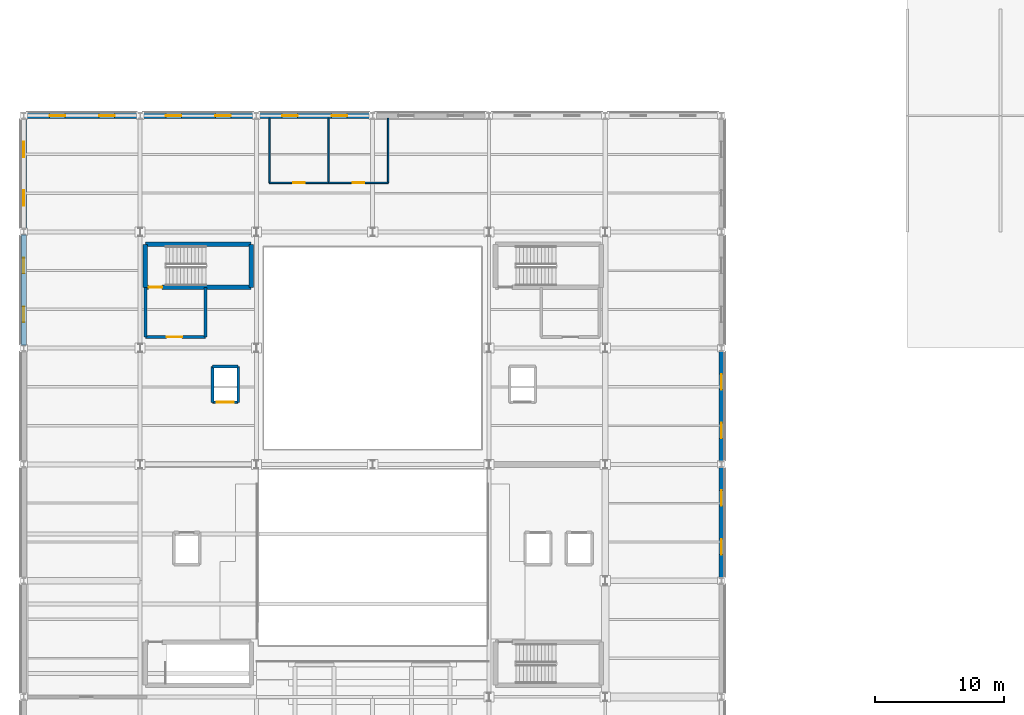
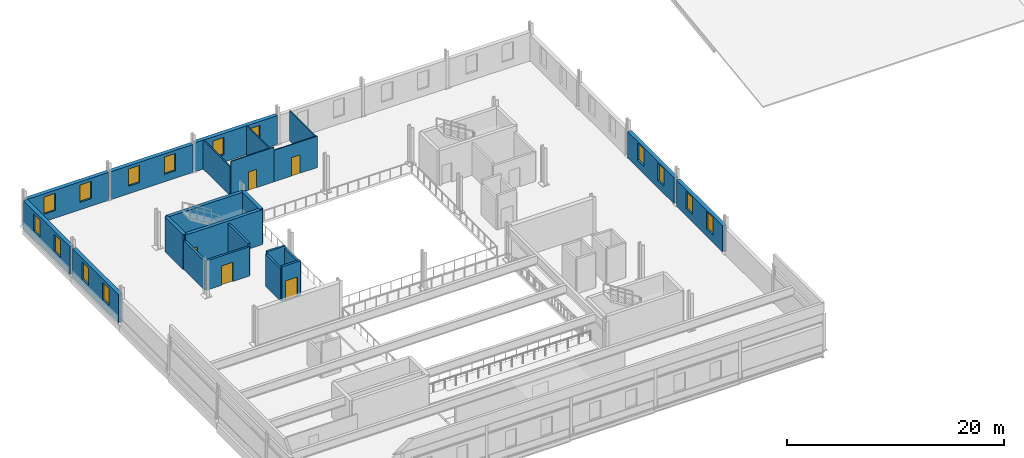
# One storey, part 10 of 17: 23 walls, 14 windows, 5 doors, 19 openings.
"""IFC4 building model written with IfcOpenShell, lengths in metres."""

import ifcopenshell
import ifcopenshell.guid

model = None  # the IFC model being written
_history = None  # IfcOwnerHistory: only IFC2X3 demands one
_inside = {}  # id of a spatial element -> (the spatial element, [elements in it])
_under = {}  # id of a project, library or spatial element -> (it, [spatial elements below it])
_declared = {}  # id of a project -> (the project, [libraries it declares])
_typed = {}  # id of a type object -> (the type object, [elements of that type])
_made_of = {}  # id of a material, layer set ... -> (it, [elements and type objects made of it])


def new_model(schema):
    """Start an empty IFC model of exactly this schema.

    Asked for "IFC4X3", IfcOpenShell would pick the latest addendum, in which some entities
    have other attributes; the version numbers below select the first issue.
    IFC2X3 requires an IfcOwnerHistory on every rooted entity: one is made here for all.
    """
    global model, _history
    if schema == "IFC4X3":
        model = ifcopenshell.file(schema_version=(4, 3, 0, 0))
    else:
        model = ifcopenshell.file(schema=schema)
    _inside.clear()
    _under.clear()
    _declared.clear()
    _typed.clear()
    _made_of.clear()
    _history = None
    if model.schema == "IFC2X3":
        org = make("IfcOrganization", Name="unknown")
        user = make(
            "IfcPersonAndOrganization",
            ThePerson=make("IfcPerson", FamilyName="unknown"),
            TheOrganization=org,
        )
        app = make(
            "IfcApplication",
            ApplicationDeveloper=org,
            Version="unknown",
            ApplicationFullName="unknown",
            ApplicationIdentifier="unknown",
        )
        _history = make(
            "IfcOwnerHistory",
            OwningUser=user,
            OwningApplication=app,
            ChangeAction="ADDED",
            CreationDate=0,
        )
    return model


def make(cls, **values):
    """One entity of the class cls with the attributes given. An attribute that is None is left unset."""
    return model.create_entity(
        cls, **{name: value for name, value in values.items() if value is not None}
    )


def rooted(cls, **values):
    """An entity with a GlobalId (a new one), such as an element, a storey or a relation."""
    return make(cls, GlobalId=ifcopenshell.guid.new(), OwnerHistory=_history, **values)


def si_unit(unit_type, name, prefix=None):
    """IfcSIUnit, for example si_unit("LENGTHUNIT", "METRE", prefix="MILLI")."""
    return make("IfcSIUnit", UnitType=unit_type, Prefix=prefix, Name=name)


def assignment(units):
    """IfcUnitAssignment: the units of a project."""
    return None if units is None else make("IfcUnitAssignment", Units=units)


def point(xyz):
    """IfcCartesianPoint."""
    return None if xyz is None else make("IfcCartesianPoint", Coordinates=xyz)


def direction(xyz):
    """IfcDirection."""
    return None if xyz is None else make("IfcDirection", DirectionRatios=xyz)


def frame(location, z_axis=None, x_axis=None):
    """IfcAxis2Placement3D, a coordinate frame: its origin and axes. An axis left out is left unset."""
    return make(
        "IfcAxis2Placement3D",
        Location=point(location),
        Axis=direction(z_axis),
        RefDirection=direction(x_axis),
    )


def frame_2d(location, x_axis=None):
    """IfcAxis2Placement2D, a coordinate frame in the plane: its origin and x axis."""
    return make(
        "IfcAxis2Placement2D", Location=point(location), RefDirection=direction(x_axis)
    )


def origin():
    """The frame at (0, 0, 0) with its axes left unset."""
    return frame((0.0, 0.0, 0.0))


def place(relative_to, where):
    """IfcLocalPlacement: puts the frame where relative to a parent placement (None: the world)."""
    return make(
        "IfcLocalPlacement", PlacementRelTo=relative_to, RelativePlacement=where
    )


def context(
    kind, dimensions, precision=None, world=None, true_north=None, identifier=None
):
    """IfcGeometricRepresentationContext, for example the 3D "Model" context."""
    return make(
        "IfcGeometricRepresentationContext",
        ContextIdentifier=identifier,
        ContextType=kind,
        CoordinateSpaceDimension=dimensions,
        Precision=precision,
        WorldCoordinateSystem=world,
        TrueNorth=true_north,
    )


def subcontext(parent, identifier, kind, view, scale=None):
    """IfcGeometricRepresentationSubContext, for example "Body" below "Model"."""
    return make(
        "IfcGeometricRepresentationSubContext",
        ContextIdentifier=identifier,
        ContextType=kind,
        ParentContext=parent,
        TargetScale=scale,
        TargetView=view,
    )


def project(units=None, contexts=None):
    """IfcProject with its units and contexts."""
    return rooted(
        "IfcProject",
        Name="project",
        RepresentationContexts=contexts,
        UnitsInContext=assignment(units),
    )


def spatial(cls, under=None, at=None, **own):
    """A site, building, storey or space (cls), placed at a placement, below another one or the project."""
    s = rooted(cls, ObjectPlacement=at, **own)
    if under is not None:
        _under.setdefault(under.id(), (under, []))[1].append(s)
    return s


def profile(cls, at=None, kind="AREA", **sizes):
    """A parametric profile (cls). Its sizes go by their IFC names, for example OverallWidth=200.0."""
    return make(cls, ProfileType=kind, Position=at, **sizes)


def rectangle(**sizes):
    """IfcRectangleProfileDef."""
    return profile("IfcRectangleProfileDef", **sizes)


def extrude(swept, where, along, depth):
    """IfcExtrudedAreaSolid: the profile swept, set in the frame where, extruded along a direction by depth."""
    return make(
        "IfcExtrudedAreaSolid",
        SweptArea=swept,
        Position=where,
        ExtrudedDirection=direction(along),
        Depth=depth,
    )


def shape(context_of_items, identifier, shape_type, items):
    """IfcShapeRepresentation: the items that make up one representation, for example the "Body"."""
    return make(
        "IfcShapeRepresentation",
        ContextOfItems=context_of_items,
        RepresentationIdentifier=identifier,
        RepresentationType=shape_type,
        Items=items,
    )


def material(Name=None, Category=None):
    """IfcMaterial."""
    return make("IfcMaterial", Name=Name, Category=Category)


def layer(
    of_material, thickness, ventilated=None, Name=None, Category=None, Priority=None
):
    """IfcMaterialLayer: one layer of a wall or slab, of a material (None: an air gap)."""
    return make(
        "IfcMaterialLayer",
        Material=of_material,
        LayerThickness=thickness,
        IsVentilated=ventilated,
        Name=Name,
        Category=Category,
        Priority=Priority,
    )


def layer_set(layers, Name=None):
    """IfcMaterialLayerSet."""
    return make("IfcMaterialLayerSet", MaterialLayers=layers, LayerSetName=Name)


def made_of(thing, what):
    """Note that an element or type object is made of a material, layer set ...; save() writes the relation."""
    if what is not None:
        _made_of.setdefault(what.id(), (what, []))[1].append(thing)
    return thing


def type_object(cls, material=None, **own):
    """A type object (cls), such as IfcWallType, which elements share."""
    return made_of(rooted(cls, **own), material)


def element(
    cls,
    number,
    at=None,
    inside=None,
    cuts=None,
    type_object=None,
    material=None,
    context=None,
    identifier="Body",
    shape_type=None,
    held_by="IfcProductDefinitionShape",
    body=None,
    shapes=None,
    **own,
):
    """One element of the class cls, such as IfcWall. Its Tag is "e" and its number.

    at: its placement. inside: the storey or other place that contains it. cuts: it is an
    opening in that element (IfcRelVoidsElement). A single representation is given by context,
    identifier, shape_type and body (its items); several are given by shapes. held_by: the class
    of the entity that holds the representations. save() writes the other relations.
    """
    e = rooted(cls, Tag="e%d" % number, ObjectPlacement=at, **own)
    if body is not None:
        shapes = [shape(context, identifier, shape_type, body)]
    if shapes is not None:
        e.Representation = make(held_by, Representations=shapes)
    if inside is not None:
        _inside.setdefault(inside.id(), (inside, []))[1].append(e)
    if cuts is not None:
        rooted(
            "IfcRelVoidsElement", RelatingBuildingElement=cuts, RelatedOpeningElement=e
        )
    if type_object is not None:
        _typed.setdefault(type_object.id(), (type_object, []))[1].append(e)
    return made_of(e, material)


def fill(opening, filler):
    """IfcRelFillsElement: the door or window that sits in an opening."""
    return rooted(
        "IfcRelFillsElement",
        RelatingOpeningElement=opening,
        RelatedBuildingElement=filler,
    )


def aggregate(whole, parts):
    """IfcRelAggregates: a whole, such as a stair, and the parts it consists of."""
    return rooted("IfcRelAggregates", RelatingObject=whole, RelatedObjects=parts)


def save(model, path):
    """Write the relations noted so far, then the file.

    IfcRelAggregates (storeys below a building ...), IfcRelContainedInSpatialStructure (elements
    in a storey), IfcRelDefinesByType, IfcRelAssociatesMaterial and IfcRelDeclares: one each for
    every whole, place, type object, material and project.
    """
    for whole, parts in _under.values():
        aggregate(whole, parts)
    for where, things in _inside.values():
        rooted(
            "IfcRelContainedInSpatialStructure",
            RelatedElements=things,
            RelatingStructure=where,
        )
    for kind, things in _typed.values():
        rooted("IfcRelDefinesByType", RelatedObjects=things, RelatingType=kind)
    for what, things in _made_of.values():
        rooted("IfcRelAssociatesMaterial", RelatedObjects=things, RelatingMaterial=what)
    for by, libraries in _declared.values():
        rooted("IfcRelDeclares", RelatingContext=by, RelatedDefinitions=libraries)
    model.write(path)


model = new_model("IFC4")

# Units and contexts
model_context = context("Model", 3, precision=1e-05, world=origin(), true_north=direction((0.0, 1.0)))
body_context = subcontext(model_context, "Body", "Model", "MODEL_VIEW")
ifc_project = project(units=[si_unit("LENGTHUNIT", "METRE"), si_unit("AREAUNIT", "SQUARE_METRE"), si_unit("VOLUMEUNIT", "CUBIC_METRE"), si_unit("PLANEANGLEUNIT", "RADIAN"), si_unit("MASSUNIT", "GRAM", prefix="KILO")], contexts=[model_context])

# Site, building, storey
site_placement = place(None, origin())
site = spatial("IfcSite", under=ifc_project, at=site_placement, CompositionType="ELEMENT")
building_placement = place(site_placement, origin())
building = spatial("IfcBuilding", under=site, at=building_placement, Name="Sundgate Opera House", CompositionType="ELEMENT")
storey_placement = place(building_placement, frame((0.0, 0.0, 26.39990234375)))
storey = spatial("IfcBuildingStorey", under=building, at=storey_placement, Name="L05", CompositionType="ELEMENT", Elevation=26.39990234375)

# Wall, opening, door
ifc_material_1 = material(Name="Concrete C40/50", Category="concrete")
ifc_layer_1 = layer(ifc_material_1, 0.35009765625)
ifc_layer_set_1 = layer_set([ifc_layer_1], Name="Concrete C40/50")
wall_type_1 = type_object("IfcWallType", Name="WL-CORE-350", PredefinedType="SHEAR", material=ifc_layer_set_1)
wall_1_placement = place(storey_placement, frame((36.409912109375, 73.7099609375, 0.0), z_axis=(0.0, 0.0, 1.0), x_axis=(1.0, 0.0, 0.0)))
wall_1 = element("IfcWall", 1, at=wall_1_placement, inside=storey, type_object=wall_type_1, Name="L05 C2 South Shaft Wall", PredefinedType="SHEAR", context=body_context, shape_type="SweptSolid", body=[
    extrude(rectangle(XDim=8.18017578125, YDim=0.35009765625, at=frame_2d((4.090087890625, 0.0))), origin(), (0.0, 0.0, 1.0), 3.940185546875),
])
opening_1_placement = place(wall_1_placement, frame((0.239990234375, 0.0, 0.0)))
opening_1 = element("IfcOpeningElement", 2, at=opening_1_placement, cuts=wall_1, Name="Opening DI01", PredefinedType="OPENING", context=body_context, shape_type="SweptSolid", body=[
    extrude(rectangle(XDim=1.050048828125, YDim=2.179931640625, at=frame_2d((0.52490234375, 1.08984375))), frame((0.0, 0.18505859375, 0.0), z_axis=(0.0, -1.0, 0.0), x_axis=(1.0, 0.0, 0.0)), (0.0, 0.0, 1.0), 0.3701171875),
])
ifc_material_2 = material(Name="Acoustic hardwood timber and steel core", Category="steel")
door_type_1 = type_object("IfcDoorType", Name="DR-STAIR-1050x2180", OperationType="NOTDEFINED", PredefinedType="DOOR", material=ifc_material_2)
door_1_placement = place(opening_1_placement, origin())
door_1 = element("IfcDoor", 3, at=door_1_placement, inside=storey, type_object=door_type_1, Name="L05 C2 Stair Door D0044", OperationType="SINGLE_SWING_RIGHT", OverallHeight=2.179931640625, OverallWidth=1.050048828125, PredefinedType="DOOR", context=body_context, shape_type="SweptSolid", body=[
    extrude(rectangle(XDim=1.050048828125, YDim=2.179931640625, at=frame_2d((0.52490234375, 1.08984375))), frame((0.0, 0.02490234375, 0.0), z_axis=(0.0, -1.0, 0.0), x_axis=(1.0, 0.0, 0.0)), (0.0, 0.0, 1.0), 0.050048828125),
])
fill(opening_1, door_1)

# Walls
wall_2_placement = place(storey_placement, frame((36.409912109375, 77.0400390625, 0.0), z_axis=(0.0, 0.0, 1.0), x_axis=(1.0, 0.0, 0.0)))
element("IfcWall", 4, at=wall_2_placement, inside=storey, type_object=wall_type_1, Name="L05 C2 North Shaft Wall", PredefinedType="SHEAR", context=body_context, shape_type="SweptSolid", body=[
    extrude(rectangle(XDim=8.18017578125, YDim=0.35009765625, at=frame_2d((4.090087890625, 0.0))), origin(), (0.0, 0.0, 1.0), 3.940185546875),
])
for number, where, z_axis, x_axis, name in (
    (5, (36.409912109375, 73.7099609375, 0.0), (0.0, 0.0, 1.0), (0.0, 1.0, 0.0), "L05 C2 West Shaft Wall"),
    (6, (44.590087890625, 73.7099609375, 0.0), (0.0, 0.0, 1.0), (0.0, 1.0, 0.0), "L05 C2 East Shaft Wall"),
):
    element("IfcWall", number, at=place(storey_placement, frame(where, z_axis=z_axis, x_axis=x_axis)), inside=storey, type_object=wall_type_1, Name=name, PredefinedType="SHEAR", context=body_context, shape_type="SweptSolid", body=[
        extrude(rectangle(XDim=3.330078125, YDim=0.35009765625, at=frame_2d((1.6650390625, 0.0))), origin(), (0.0, 0.0, 1.0), 3.940185546875),
    ])

# Wall, openings, windows
ifc_material_3 = material(Name="Vitrified stoneware trencadis and brick masonry", Category="masonry")
ifc_layer_2 = layer(ifc_material_3, 0.409912109375)
ifc_layer_set_2 = layer_set([ifc_layer_2], Name="Vitrified stoneware trencadis and brick masonry")
wall_type_2 = type_object("IfcWallType", Name="WL-EXT-TRENC-410", PredefinedType="SOLIDWALL", material=ifc_layer_set_2)
wall_3_placement = place(storey_placement, frame((27.14501953125, 87.0, 0.0), z_axis=(0.0, 0.0, 1.0), x_axis=(1.0, 0.0, 0.0)))
wall_3 = element("IfcWall", 7, at=wall_3_placement, inside=storey, type_object=wall_type_2, Name="L05 Lifted Cube North Relief Wall W0118", PredefinedType="SOLIDWALL", context=body_context, shape_type="SweptSolid", body=[
    extrude(rectangle(XDim=8.7099609375, YDim=0.409912109375, at=frame_2d((4.35498046875, 0.0))), origin(), (0.0, 0.0, 1.0), 3.155029296875),
])
opening_2_placement = place(wall_3_placement, frame((1.839111328125, 0.0, 0.85009765625)))
opening_2 = element("IfcOpeningElement", 8, at=opening_2_placement, cuts=wall_3, Name="Opening W03", PredefinedType="OPENING", context=body_context, shape_type="SweptSolid", body=[
    extrude(rectangle(XDim=1.199951171875, YDim=1.949951171875, at=frame_2d((0.60009765625, 0.97509765625))), frame((0.0, 0.21484375, 0.0), z_axis=(0.0, -1.0, 0.0), x_axis=(1.0, 0.0, 0.0)), (0.0, 0.0, 1.0), 0.429931640625),
])
opening_3_placement = place(wall_3_placement, frame((5.6708984375, 0.0, 0.85009765625)))
opening_3 = element("IfcOpeningElement", 9, at=opening_3_placement, cuts=wall_3, Name="Opening W03", PredefinedType="OPENING", context=body_context, shape_type="SweptSolid", body=[
    extrude(rectangle(XDim=1.199951171875, YDim=1.949951171875, at=frame_2d((0.60009765625, 0.97509765625))), frame((0.0, 0.21484375, 0.0), z_axis=(0.0, -1.0, 0.0), x_axis=(1.0, 0.0, 0.0)), (0.0, 0.0, 1.0), 0.429931640625),
])
ifc_material_4 = material(Name="Low-iron triple glazing in patinated bronze frame", Category="glass")
window_type = type_object("IfcWindowType", Name="WN-CUBE-1200x1950", PartitioningType="SINGLE_PANEL", PredefinedType="WINDOW", material=ifc_material_4)
window_1_placement = place(opening_2_placement, origin())
window_1 = element("IfcWindow", 10, at=window_1_placement, inside=storey, type_object=window_type, Name="L05 Cube Loggia Window WN0105", OverallHeight=1.949951171875, OverallWidth=1.199951171875, PartitioningType="SINGLE_PANEL", PredefinedType="WINDOW", context=body_context, shape_type="SweptSolid", body=[
    extrude(rectangle(XDim=1.199951171875, YDim=1.949951171875, at=frame_2d((0.60009765625, 0.97509765625))), frame((0.0, 0.030029296875, 0.0), z_axis=(0.0, -1.0, 0.0), x_axis=(1.0, 0.0, 0.0)), (0.0, 0.0, 1.0), 0.06005859375),
])
fill(opening_2, window_1)
window_2_placement = place(opening_3_placement, origin())
window_2 = element("IfcWindow", 11, at=window_2_placement, inside=storey, type_object=window_type, Name="L05 Cube Loggia Window WN0106", OverallHeight=1.949951171875, OverallWidth=1.199951171875, PartitioningType="SINGLE_PANEL", PredefinedType="WINDOW", context=body_context, shape_type="SweptSolid", body=[
    extrude(rectangle(XDim=1.199951171875, YDim=1.949951171875, at=frame_2d((0.60009765625, 0.97509765625))), frame((0.0, 0.030029296875, 0.0), z_axis=(0.0, -1.0, 0.0), x_axis=(1.0, 0.0, 0.0)), (0.0, 0.0, 1.0), 0.06005859375),
])
fill(opening_3, window_2)

wall_4_placement = place(storey_placement, frame((36.14501953125, 87.0, 0.0), z_axis=(0.0, 0.0, 1.0), x_axis=(1.0, 0.0, 0.0)))
wall_4 = element("IfcWall", 12, at=wall_4_placement, inside=storey, type_object=wall_type_2, Name="L05 Lifted Cube North Relief Wall W0120", PredefinedType="SOLIDWALL", context=body_context, shape_type="SweptSolid", body=[
    extrude(rectangle(XDim=8.7099609375, YDim=0.409912109375, at=frame_2d((4.35498046875, 0.0))), origin(), (0.0, 0.0, 1.0), 3.155029296875),
])
opening_4_placement = place(wall_4_placement, frame((1.839111328125, 0.0, 0.85009765625)))
opening_4 = element("IfcOpeningElement", 13, at=opening_4_placement, cuts=wall_4, Name="Opening W03", PredefinedType="OPENING", context=body_context, shape_type="SweptSolid", body=[
    extrude(rectangle(XDim=1.199951171875, YDim=1.949951171875, at=frame_2d((0.60009765625, 0.97509765625))), frame((0.0, 0.21484375, 0.0), z_axis=(0.0, -1.0, 0.0), x_axis=(1.0, 0.0, 0.0)), (0.0, 0.0, 1.0), 0.429931640625),
])
opening_5_placement = place(wall_4_placement, frame((5.6708984375, 0.0, 0.85009765625)))
opening_5 = element("IfcOpeningElement", 14, at=opening_5_placement, cuts=wall_4, Name="Opening W03", PredefinedType="OPENING", context=body_context, shape_type="SweptSolid", body=[
    extrude(rectangle(XDim=1.199951171875, YDim=1.949951171875, at=frame_2d((0.60009765625, 0.97509765625))), frame((0.0, 0.21484375, 0.0), z_axis=(0.0, -1.0, 0.0), x_axis=(1.0, 0.0, 0.0)), (0.0, 0.0, 1.0), 0.429931640625),
])
window_3_placement = place(opening_4_placement, origin())
window_3 = element("IfcWindow", 15, at=window_3_placement, inside=storey, type_object=window_type, Name="L05 Cube Loggia Window WN0109", OverallHeight=1.949951171875, OverallWidth=1.199951171875, PartitioningType="SINGLE_PANEL", PredefinedType="WINDOW", context=body_context, shape_type="SweptSolid", body=[
    extrude(rectangle(XDim=1.199951171875, YDim=1.949951171875, at=frame_2d((0.60009765625, 0.97509765625))), frame((0.0, 0.030029296875, 0.0), z_axis=(0.0, -1.0, 0.0), x_axis=(1.0, 0.0, 0.0)), (0.0, 0.0, 1.0), 0.06005859375),
])
fill(opening_4, window_3)
window_4_placement = place(opening_5_placement, origin())
window_4 = element("IfcWindow", 16, at=window_4_placement, inside=storey, type_object=window_type, Name="L05 Cube Loggia Window WN0110", OverallHeight=1.949951171875, OverallWidth=1.199951171875, PartitioningType="SINGLE_PANEL", PredefinedType="WINDOW", context=body_context, shape_type="SweptSolid", body=[
    extrude(rectangle(XDim=1.199951171875, YDim=1.949951171875, at=frame_2d((0.60009765625, 0.97509765625))), frame((0.0, 0.030029296875, 0.0), z_axis=(0.0, -1.0, 0.0), x_axis=(1.0, 0.0, 0.0)), (0.0, 0.0, 1.0), 0.06005859375),
])
fill(opening_5, window_4)

wall_5_placement = place(storey_placement, frame((45.14501953125, 87.0, 0.0), z_axis=(0.0, 0.0, 1.0), x_axis=(1.0, 0.0, 0.0)))
wall_5 = element("IfcWall", 17, at=wall_5_placement, inside=storey, type_object=wall_type_2, Name="L05 Lifted Cube North Relief Wall W0122", PredefinedType="SOLIDWALL", context=body_context, shape_type="SweptSolid", body=[
    extrude(rectangle(XDim=8.7099609375, YDim=0.409912109375, at=frame_2d((4.35498046875, 0.0))), origin(), (0.0, 0.0, 1.0), 3.255126953125),
])
opening_6_placement = place(wall_5_placement, frame((1.839111328125, 0.0, 0.85009765625)))
opening_6 = element("IfcOpeningElement", 18, at=opening_6_placement, cuts=wall_5, Name="Opening W03", PredefinedType="OPENING", context=body_context, shape_type="SweptSolid", body=[
    extrude(rectangle(XDim=1.199951171875, YDim=1.949951171875, at=frame_2d((0.60009765625, 0.97509765625))), frame((0.0, 0.21484375, 0.0), z_axis=(0.0, -1.0, 0.0), x_axis=(1.0, 0.0, 0.0)), (0.0, 0.0, 1.0), 0.429931640625),
])
opening_7_placement = place(wall_5_placement, frame((5.6708984375, 0.0, 0.85009765625)))
opening_7 = element("IfcOpeningElement", 19, at=opening_7_placement, cuts=wall_5, Name="Opening W03", PredefinedType="OPENING", context=body_context, shape_type="SweptSolid", body=[
    extrude(rectangle(XDim=1.199951171875, YDim=1.949951171875, at=frame_2d((0.60009765625, 0.97509765625))), frame((0.0, 0.21484375, 0.0), z_axis=(0.0, -1.0, 0.0), x_axis=(1.0, 0.0, 0.0)), (0.0, 0.0, 1.0), 0.429931640625),
])
window_5_placement = place(opening_6_placement, origin())
window_5 = element("IfcWindow", 20, at=window_5_placement, inside=storey, type_object=window_type, Name="L05 Cube Loggia Window WN0113", OverallHeight=1.949951171875, OverallWidth=1.199951171875, PartitioningType="SINGLE_PANEL", PredefinedType="WINDOW", context=body_context, shape_type="SweptSolid", body=[
    extrude(rectangle(XDim=1.199951171875, YDim=1.949951171875, at=frame_2d((0.60009765625, 0.97509765625))), frame((0.0, 0.030029296875, 0.0), z_axis=(0.0, -1.0, 0.0), x_axis=(1.0, 0.0, 0.0)), (0.0, 0.0, 1.0), 0.06005859375),
])
fill(opening_6, window_5)
window_6_placement = place(opening_7_placement, origin())
window_6 = element("IfcWindow", 21, at=window_6_placement, inside=storey, type_object=window_type, Name="L05 Cube Loggia Window WN0114", OverallHeight=1.949951171875, OverallWidth=1.199951171875, PartitioningType="SINGLE_PANEL", PredefinedType="WINDOW", context=body_context, shape_type="SweptSolid", body=[
    extrude(rectangle(XDim=1.199951171875, YDim=1.949951171875, at=frame_2d((0.60009765625, 0.97509765625))), frame((0.0, 0.030029296875, 0.0), z_axis=(0.0, -1.0, 0.0), x_axis=(1.0, 0.0, 0.0)), (0.0, 0.0, 1.0), 0.06005859375),
])
fill(opening_7, window_6)

wall_6_placement = place(storey_placement, frame((81.0, 51.219970703125, 0.0), z_axis=(0.0, 0.0, 1.0), x_axis=(0.0, 1.0, 0.0)))
wall_6 = element("IfcWall", 22, at=wall_6_placement, inside=storey, type_object=wall_type_2, Name="L05 Lifted Cube East Relief Wall W0134", PredefinedType="SOLIDWALL", context=body_context, shape_type="SweptSolid", body=[
    extrude(rectangle(XDim=8.56005859375, YDim=0.409912109375, at=frame_2d((4.280029296875, 0.0))), origin(), (0.0, 0.0, 1.0), 2.955078125),
])
opening_8_placement = place(wall_6_placement, frame((1.797119140625, 0.0, 0.85009765625)))
opening_8 = element("IfcOpeningElement", 23, at=opening_8_placement, cuts=wall_6, Name="Opening W03", PredefinedType="OPENING", context=body_context, shape_type="SweptSolid", body=[
    extrude(rectangle(XDim=1.199951171875, YDim=1.949951171875, at=frame_2d((0.60009765625, 0.97509765625))), frame((0.0, 0.21484375, 0.0), z_axis=(0.0, -1.0, 0.0), x_axis=(1.0, 0.0, 0.0)), (0.0, 0.0, 1.0), 0.429931640625),
])
opening_9_placement = place(wall_6_placement, frame((5.56298828125, 0.0, 0.85009765625)))
opening_9 = element("IfcOpeningElement", 24, at=opening_9_placement, cuts=wall_6, Name="Opening W03", PredefinedType="OPENING", context=body_context, shape_type="SweptSolid", body=[
    extrude(rectangle(XDim=1.199951171875, YDim=1.949951171875, at=frame_2d((0.60009765625, 0.97509765625))), frame((0.0, 0.21484375, 0.0), z_axis=(0.0, -1.0, 0.0), x_axis=(1.0, 0.0, 0.0)), (0.0, 0.0, 1.0), 0.429931640625),
])
window_7_placement = place(opening_8_placement, origin())
window_7 = element("IfcWindow", 25, at=window_7_placement, inside=storey, type_object=window_type, Name="L05 Cube Loggia Window WN0125", OverallHeight=1.949951171875, OverallWidth=1.199951171875, PartitioningType="SINGLE_PANEL", PredefinedType="WINDOW", context=body_context, shape_type="SweptSolid", body=[
    extrude(rectangle(XDim=1.199951171875, YDim=1.949951171875, at=frame_2d((0.60009765625, 0.97509765625))), frame((0.0, 0.030029296875, 0.0), z_axis=(0.0, -1.0, 0.0), x_axis=(1.0, 0.0, 0.0)), (0.0, 0.0, 1.0), 0.06005859375),
])
fill(opening_8, window_7)
window_8_placement = place(opening_9_placement, origin())
window_8 = element("IfcWindow", 26, at=window_8_placement, inside=storey, type_object=window_type, Name="L05 Cube Loggia Window WN0126", OverallHeight=1.949951171875, OverallWidth=1.199951171875, PartitioningType="SINGLE_PANEL", PredefinedType="WINDOW", context=body_context, shape_type="SweptSolid", body=[
    extrude(rectangle(XDim=1.199951171875, YDim=1.949951171875, at=frame_2d((0.60009765625, 0.97509765625))), frame((0.0, 0.030029296875, 0.0), z_axis=(0.0, -1.0, 0.0), x_axis=(1.0, 0.0, 0.0)), (0.0, 0.0, 1.0), 0.06005859375),
])
fill(opening_9, window_8)

wall_7_placement = place(storey_placement, frame((81.0, 60.219970703125, 0.0), z_axis=(0.0, 0.0, 1.0), x_axis=(0.0, 1.0, 0.0)))
wall_7 = element("IfcWall", 27, at=wall_7_placement, inside=storey, type_object=wall_type_2, Name="L05 Lifted Cube East Relief Wall W0136", PredefinedType="SOLIDWALL", context=body_context, shape_type="SweptSolid", body=[
    extrude(rectangle(XDim=8.56005859375, YDim=0.409912109375, at=frame_2d((4.280029296875, 0.0))), origin(), (0.0, 0.0, 1.0), 2.955078125),
])
opening_10_placement = place(wall_7_placement, frame((1.797119140625, 0.0, 0.85009765625)))
opening_10 = element("IfcOpeningElement", 28, at=opening_10_placement, cuts=wall_7, Name="Opening W03", PredefinedType="OPENING", context=body_context, shape_type="SweptSolid", body=[
    extrude(rectangle(XDim=1.199951171875, YDim=1.949951171875, at=frame_2d((0.60009765625, 0.97509765625))), frame((0.0, 0.21484375, 0.0), z_axis=(0.0, -1.0, 0.0), x_axis=(1.0, 0.0, 0.0)), (0.0, 0.0, 1.0), 0.429931640625),
])
opening_11_placement = place(wall_7_placement, frame((5.56298828125, 0.0, 0.85009765625)))
opening_11 = element("IfcOpeningElement", 29, at=opening_11_placement, cuts=wall_7, Name="Opening W03", PredefinedType="OPENING", context=body_context, shape_type="SweptSolid", body=[
    extrude(rectangle(XDim=1.199951171875, YDim=1.949951171875, at=frame_2d((0.60009765625, 0.97509765625))), frame((0.0, 0.21484375, 0.0), z_axis=(0.0, -1.0, 0.0), x_axis=(1.0, 0.0, 0.0)), (0.0, 0.0, 1.0), 0.429931640625),
])
window_9_placement = place(opening_10_placement, origin())
window_9 = element("IfcWindow", 30, at=window_9_placement, inside=storey, type_object=window_type, Name="L05 Cube Loggia Window WN0127", OverallHeight=1.949951171875, OverallWidth=1.199951171875, PartitioningType="SINGLE_PANEL", PredefinedType="WINDOW", context=body_context, shape_type="SweptSolid", body=[
    extrude(rectangle(XDim=1.199951171875, YDim=1.949951171875, at=frame_2d((0.60009765625, 0.97509765625))), frame((0.0, 0.030029296875, 0.0), z_axis=(0.0, -1.0, 0.0), x_axis=(1.0, 0.0, 0.0)), (0.0, 0.0, 1.0), 0.06005859375),
])
fill(opening_10, window_9)
window_10_placement = place(opening_11_placement, origin())
window_10 = element("IfcWindow", 31, at=window_10_placement, inside=storey, type_object=window_type, Name="L05 Cube Loggia Window WN0128", OverallHeight=1.949951171875, OverallWidth=1.199951171875, PartitioningType="SINGLE_PANEL", PredefinedType="WINDOW", context=body_context, shape_type="SweptSolid", body=[
    extrude(rectangle(XDim=1.199951171875, YDim=1.949951171875, at=frame_2d((0.60009765625, 0.97509765625))), frame((0.0, 0.030029296875, 0.0), z_axis=(0.0, -1.0, 0.0), x_axis=(1.0, 0.0, 0.0)), (0.0, 0.0, 1.0), 0.06005859375),
])
fill(opening_11, window_10)

wall_8_placement = place(storey_placement, frame((27.0, 77.780029296875, 0.0), z_axis=(0.0, 0.0, 1.0), x_axis=(0.0, -1.0, 0.0)))
wall_8 = element("IfcWall", 32, at=wall_8_placement, inside=storey, type_object=wall_type_2, Name="L05 Lifted Cube West Relief Wall W0137", PredefinedType="SOLIDWALL", context=body_context, shape_type="SweptSolid", body=[
    extrude(rectangle(XDim=8.56005859375, YDim=0.409912109375, at=frame_2d((4.280029296875, 0.0))), origin(), (0.0, 0.0, 1.0), 3.205078125),
])
opening_12_placement = place(wall_8_placement, frame((1.797119140625, 0.0, 0.85009765625)))
opening_12 = element("IfcOpeningElement", 33, at=opening_12_placement, cuts=wall_8, Name="Opening W03", PredefinedType="OPENING", context=body_context, shape_type="SweptSolid", body=[
    extrude(rectangle(XDim=1.199951171875, YDim=1.949951171875, at=frame_2d((0.60009765625, 0.97509765625))), frame((0.0, 0.21484375, 0.0), z_axis=(0.0, -1.0, 0.0), x_axis=(1.0, 0.0, 0.0)), (0.0, 0.0, 1.0), 0.429931640625),
])
opening_13_placement = place(wall_8_placement, frame((5.56298828125, 0.0, 0.85009765625)))
opening_13 = element("IfcOpeningElement", 34, at=opening_13_placement, cuts=wall_8, Name="Opening W03", PredefinedType="OPENING", context=body_context, shape_type="SweptSolid", body=[
    extrude(rectangle(XDim=1.199951171875, YDim=1.949951171875, at=frame_2d((0.60009765625, 0.97509765625))), frame((0.0, 0.21484375, 0.0), z_axis=(0.0, -1.0, 0.0), x_axis=(1.0, 0.0, 0.0)), (0.0, 0.0, 1.0), 0.429931640625),
])
window_11_placement = place(opening_12_placement, origin())
window_11 = element("IfcWindow", 35, at=window_11_placement, inside=storey, type_object=window_type, Name="L05 Cube Loggia Window WN0129", OverallHeight=1.949951171875, OverallWidth=1.199951171875, PartitioningType="SINGLE_PANEL", PredefinedType="WINDOW", context=body_context, shape_type="SweptSolid", body=[
    extrude(rectangle(XDim=1.199951171875, YDim=1.949951171875, at=frame_2d((0.60009765625, 0.97509765625))), frame((0.0, 0.030029296875, 0.0), z_axis=(0.0, -1.0, 0.0), x_axis=(1.0, 0.0, 0.0)), (0.0, 0.0, 1.0), 0.06005859375),
])
fill(opening_12, window_11)
window_12_placement = place(opening_13_placement, origin())
window_12 = element("IfcWindow", 36, at=window_12_placement, inside=storey, type_object=window_type, Name="L05 Cube Loggia Window WN0130", OverallHeight=1.949951171875, OverallWidth=1.199951171875, PartitioningType="SINGLE_PANEL", PredefinedType="WINDOW", context=body_context, shape_type="SweptSolid", body=[
    extrude(rectangle(XDim=1.199951171875, YDim=1.949951171875, at=frame_2d((0.60009765625, 0.97509765625))), frame((0.0, 0.030029296875, 0.0), z_axis=(0.0, -1.0, 0.0), x_axis=(1.0, 0.0, 0.0)), (0.0, 0.0, 1.0), 0.06005859375),
])
fill(opening_13, window_12)

wall_9_placement = place(storey_placement, frame((27.0, 86.780029296875, 0.0), z_axis=(0.0, 0.0, 1.0), x_axis=(0.0, -1.0, 0.0)))
wall_9 = element("IfcWall", 37, at=wall_9_placement, inside=storey, type_object=wall_type_2, Name="L05 Lifted Cube West Relief Wall W0139", PredefinedType="SOLIDWALL", context=body_context, shape_type="SweptSolid", body=[
    extrude(rectangle(XDim=8.56005859375, YDim=0.409912109375, at=frame_2d((4.280029296875, 0.0))), origin(), (0.0, 0.0, 1.0), 3.155029296875),
])
opening_14_placement = place(wall_9_placement, frame((1.797119140625, 0.0, 0.85009765625)))
opening_14 = element("IfcOpeningElement", 38, at=opening_14_placement, cuts=wall_9, Name="Opening W03", PredefinedType="OPENING", context=body_context, shape_type="SweptSolid", body=[
    extrude(rectangle(XDim=1.199951171875, YDim=1.949951171875, at=frame_2d((0.60009765625, 0.97509765625))), frame((0.0, 0.21484375, 0.0), z_axis=(0.0, -1.0, 0.0), x_axis=(1.0, 0.0, 0.0)), (0.0, 0.0, 1.0), 0.429931640625),
])
opening_15_placement = place(wall_9_placement, frame((5.56298828125, 0.0, 0.85009765625)))
opening_15 = element("IfcOpeningElement", 39, at=opening_15_placement, cuts=wall_9, Name="Opening W03", PredefinedType="OPENING", context=body_context, shape_type="SweptSolid", body=[
    extrude(rectangle(XDim=1.199951171875, YDim=1.949951171875, at=frame_2d((0.60009765625, 0.97509765625))), frame((0.0, 0.21484375, 0.0), z_axis=(0.0, -1.0, 0.0), x_axis=(1.0, 0.0, 0.0)), (0.0, 0.0, 1.0), 0.429931640625),
])
window_13_placement = place(opening_14_placement, origin())
window_13 = element("IfcWindow", 40, at=window_13_placement, inside=storey, type_object=window_type, Name="L05 Cube Loggia Window WN0133", OverallHeight=1.949951171875, OverallWidth=1.199951171875, PartitioningType="SINGLE_PANEL", PredefinedType="WINDOW", context=body_context, shape_type="SweptSolid", body=[
    extrude(rectangle(XDim=1.199951171875, YDim=1.949951171875, at=frame_2d((0.60009765625, 0.97509765625))), frame((0.0, 0.030029296875, 0.0), z_axis=(0.0, -1.0, 0.0), x_axis=(1.0, 0.0, 0.0)), (0.0, 0.0, 1.0), 0.06005859375),
])
fill(opening_14, window_13)
window_14_placement = place(opening_15_placement, origin())
window_14 = element("IfcWindow", 41, at=window_14_placement, inside=storey, type_object=window_type, Name="L05 Cube Loggia Window WN0134", OverallHeight=1.949951171875, OverallWidth=1.199951171875, PartitioningType="SINGLE_PANEL", PredefinedType="WINDOW", context=body_context, shape_type="SweptSolid", body=[
    extrude(rectangle(XDim=1.199951171875, YDim=1.949951171875, at=frame_2d((0.60009765625, 0.97509765625))), frame((0.0, 0.030029296875, 0.0), z_axis=(0.0, -1.0, 0.0), x_axis=(1.0, 0.0, 0.0)), (0.0, 0.0, 1.0), 0.06005859375),
])
fill(opening_15, window_14)

# Wall, opening, door
ifc_material_5 = material(Name="Fire-rated gypsum and mineral-wool shaft partition", Category="gypsum")
ifc_layer_3 = layer(ifc_material_5, 0.219970703125)
ifc_layer_set_3 = layer_set([ifc_layer_3], Name="Fire-rated gypsum and mineral-wool shaft partition")
wall_type_3 = type_object("IfcWallType", Name="WL-INT-FIRE-220", PredefinedType="PARTITIONING", material=ifc_layer_set_3)
wall_10_placement = place(storey_placement, frame((36.409912109375, 69.85009765625, 0.0), z_axis=(0.0, 0.0, 1.0), x_axis=(1.0, 0.0, 0.0)))
wall_10 = element("IfcWall", 42, at=wall_10_placement, inside=storey, type_object=wall_type_3, Name="L05 C2 Firefighting Lobby South Wall", PredefinedType="PARTITIONING", context=body_context, shape_type="SweptSolid", body=[
    extrude(rectangle(XDim=4.64013671875, YDim=0.219970703125, at=frame_2d((2.320068359375, 0.0))), origin(), (0.0, 0.0, 1.0), 3.30517578125),
])
opening_16_placement = place(wall_10_placement, frame((1.64990234375, 0.0, 0.0)))
opening_16 = element("IfcOpeningElement", 43, at=opening_16_placement, cuts=wall_10, Name="Opening DI02", PredefinedType="OPENING", context=body_context, shape_type="SweptSolid", body=[
    extrude(rectangle(XDim=1.199951171875, YDim=2.179931640625, at=frame_2d((0.60009765625, 1.08984375))), frame((0.0, 0.119873046875, 0.0), z_axis=(0.0, -1.0, 0.0), x_axis=(1.0, 0.0, 0.0)), (0.0, 0.0, 1.0), 0.239990234375),
])
ifc_material_6 = material(Name="Acoustic hardwood timber and steel core", Category="steel")
door_type_2 = type_object("IfcDoorType", Name="DR-FFLOB-1200x2180", OperationType="NOTDEFINED", PredefinedType="DOOR", material=ifc_material_6)
door_2_placement = place(opening_16_placement, origin())
door_2 = element("IfcDoor", 44, at=door_2_placement, inside=storey, type_object=door_type_2, Name="L05 C2 Firefighting Lobby Door D0045", OperationType="SINGLE_SWING_LEFT", OverallHeight=2.179931640625, OverallWidth=1.199951171875, PredefinedType="DOOR", context=body_context, shape_type="SweptSolid", body=[
    extrude(rectangle(XDim=1.199951171875, YDim=2.179931640625, at=frame_2d((0.60009765625, 1.08984375))), frame((0.0, 0.02490234375, 0.0), z_axis=(0.0, -1.0, 0.0), x_axis=(1.0, 0.0, 0.0)), (0.0, 0.0, 1.0), 0.050048828125),
])
fill(opening_16, door_2)

# Walls
wall_11_placement = place(storey_placement, frame((36.409912109375, 69.85009765625, 0.0), z_axis=(0.0, 0.0, 1.0), x_axis=(0.0, 1.0, 0.0)))
element("IfcWall", 45, at=wall_11_placement, inside=storey, type_object=wall_type_3, Name="L05 C2 Firefighting Lobby West Wall", PredefinedType="PARTITIONING", context=body_context, shape_type="SweptSolid", body=[
    extrude(rectangle(XDim=3.85986328125, YDim=0.219970703125, at=frame_2d((1.929931640625, 0.0))), origin(), (0.0, 0.0, 1.0), 3.30517578125),
])
wall_12_placement = place(storey_placement, frame((41.050048828125, 69.85009765625, 0.0), z_axis=(0.0, 0.0, 1.0), x_axis=(0.0, 1.0, 0.0)))
element("IfcWall", 46, at=wall_12_placement, inside=storey, type_object=wall_type_3, Name="L05 C2 Firefighting Lobby East Wall", PredefinedType="PARTITIONING", context=body_context, shape_type="SweptSolid", body=[
    extrude(rectangle(XDim=3.85986328125, YDim=0.219970703125, at=frame_2d((1.929931640625, 0.0))), origin(), (0.0, 0.0, 1.0), 3.635009765625),
])

# Wall, opening, door
wall_13_placement = place(storey_placement, frame((41.610107421875, 64.81005859375, 0.0), z_axis=(0.0, 0.0, 1.0), x_axis=(1.0, 0.0, 0.0)))
wall_13 = element("IfcWall", 47, at=wall_13_placement, inside=storey, type_object=wall_type_3, Name="L05 FF1 South Shaft Wall", PredefinedType="PARTITIONING", context=body_context, shape_type="SweptSolid", body=[
    extrude(rectangle(XDim=1.97998046875, YDim=0.219970703125, at=frame_2d((0.989990234375, 0.0))), origin(), (0.0, 0.0, 1.0), 3.905029296875),
])
opening_17_placement = place(wall_13_placement, frame((0.340087890625, 0.0, 0.0)))
opening_17 = element("IfcOpeningElement", 48, at=opening_17_placement, cuts=wall_13, Name="Opening LD2", PredefinedType="OPENING", context=body_context, shape_type="SweptSolid", body=[
    extrude(rectangle(XDim=1.300048828125, YDim=2.199951171875, at=frame_2d((0.64990234375, 1.10009765625))), frame((0.0, 0.119873046875, 0.0), z_axis=(0.0, -1.0, 0.0), x_axis=(1.0, 0.0, 0.0)), (0.0, 0.0, 1.0), 0.239990234375),
])
ifc_material_7 = material(Name="Brushed stainless steel EN 1.4301", Category="steel")
door_type_3 = type_object("IfcDoorType", Name="DR-LIFT-1300x2200", OperationType="DOUBLE_DOOR_SLIDING", PredefinedType="DOOR", material=ifc_material_7)
door_3_placement = place(opening_17_placement, origin())
door_3 = element("IfcDoor", 49, at=door_3_placement, inside=storey, type_object=door_type_3, Name="L05 FF1 Landing Door D0134", OperationType="DOUBLE_DOOR_SLIDING", OverallHeight=2.199951171875, OverallWidth=1.300048828125, PredefinedType="DOOR", context=body_context, shape_type="SweptSolid", body=[
    extrude(rectangle(XDim=1.300048828125, YDim=2.199951171875, at=frame_2d((0.64990234375, 1.10009765625))), frame((0.0, 0.02490234375, 0.0), z_axis=(0.0, -1.0, 0.0), x_axis=(1.0, 0.0, 0.0)), (0.0, 0.0, 1.0), 0.050048828125),
])
fill(opening_17, door_3)

# Walls
wall_14_placement = place(storey_placement, frame((41.610107421875, 67.590087890625, 0.0), z_axis=(0.0, 0.0, 1.0), x_axis=(1.0, 0.0, 0.0)))
element("IfcWall", 50, at=wall_14_placement, inside=storey, type_object=wall_type_3, Name="L05 FF1 North Shaft Wall", PredefinedType="PARTITIONING", context=body_context, shape_type="SweptSolid", body=[
    extrude(rectangle(XDim=1.97998046875, YDim=0.219970703125, at=frame_2d((0.989990234375, 0.0))), origin(), (0.0, 0.0, 1.0), 3.905029296875),
])
for number, where, z_axis, x_axis, name in (
    (51, (41.610107421875, 64.81005859375, 0.0), (0.0, 0.0, 1.0), (0.0, 1.0, 0.0), "L05 FF1 West Shaft Wall"),
    (52, (43.590087890625, 64.81005859375, 0.0), (0.0, 0.0, 1.0), (0.0, 1.0, 0.0), "L05 FF1 East Shaft Wall"),
):
    element("IfcWall", number, at=place(storey_placement, frame(where, z_axis=z_axis, x_axis=x_axis)), inside=storey, type_object=wall_type_3, Name=name, PredefinedType="PARTITIONING", context=body_context, shape_type="SweptSolid", body=[
        extrude(rectangle(XDim=2.780029296875, YDim=0.219970703125, at=frame_2d((1.39013671875, 0.0))), origin(), (0.0, 0.0, 1.0), 3.635009765625),
    ])

# Wall, opening, door
ifc_material_8 = material(Name="Moisture-resistant sanitary partition", Category="gypsum")
ifc_layer_4 = layer(ifc_material_8, 0.114990234375)
ifc_layer_set_4 = layer_set([ifc_layer_4], Name="Moisture-resistant sanitary partition")
wall_type_4 = type_object("IfcWallType", Name="WL-INT-WET-115", PredefinedType="PARTITIONING", material=ifc_layer_set_4)
wall_15_placement = place(storey_placement, frame((46.0, 81.800048828125, 0.0), z_axis=(0.0, 0.0, 1.0), x_axis=(1.0, 0.0, 0.0)))
wall_15 = element("IfcWall", 53, at=wall_15_placement, inside=storey, type_object=wall_type_4, Name="L05 Interior Partition W1091", PredefinedType="PARTITIONING", context=body_context, shape_type="SweptSolid", body=[
    extrude(rectangle(XDim=4.60009765625, YDim=0.114990234375, at=frame_2d((2.300048828125, 0.0))), origin(), (0.0, 0.0, 1.0), 3.905029296875),
])
opening_18_placement = place(wall_15_placement, frame((1.860107421875, 0.0, 0.0)))
opening_18 = element("IfcOpeningElement", 54, at=opening_18_placement, cuts=wall_15, Name="Opening DI13", PredefinedType="OPENING", context=body_context, shape_type="SweptSolid", body=[
    extrude(rectangle(XDim=0.8798828125, YDim=2.06005859375, at=frame_2d((0.43994140625, 1.030029296875))), frame((0.0, 0.0673828125, 0.0), z_axis=(0.0, -1.0, 0.0), x_axis=(1.0, 0.0, 0.0)), (0.0, 0.0, 1.0), 0.135009765625),
])
ifc_material_9 = material(Name="Acoustic hardwood timber and steel core", Category="steel")
door_type_4 = type_object("IfcDoorType", Name="DR-WC-880x2060", OperationType="NOTDEFINED", PredefinedType="DOOR", material=ifc_material_9)
door_4_placement = place(opening_18_placement, origin())
door_4 = element("IfcDoor", 55, at=door_4_placement, inside=storey, type_object=door_type_4, Name="L05 Interior Door D0242", OperationType="SINGLE_SWING_LEFT", OverallHeight=2.06005859375, OverallWidth=0.8798828125, PredefinedType="DOOR", context=body_context, shape_type="SweptSolid", body=[
    extrude(rectangle(XDim=0.8798828125, YDim=2.06005859375, at=frame_2d((0.43994140625, 1.030029296875))), frame((0.0, 0.02490234375, 0.0), z_axis=(0.0, -1.0, 0.0), x_axis=(1.0, 0.0, 0.0)), (0.0, 0.0, 1.0), 0.050048828125),
])
fill(opening_18, door_4)

wall_16_placement = place(storey_placement, frame((50.60009765625, 81.800048828125, 0.0), z_axis=(0.0, 0.0, 1.0), x_axis=(1.0, 0.0, 0.0)))
wall_16 = element("IfcWall", 56, at=wall_16_placement, inside=storey, type_object=wall_type_4, Name="L05 Interior Partition W1092", PredefinedType="PARTITIONING", context=body_context, shape_type="SweptSolid", body=[
    extrude(rectangle(XDim=4.599853515625, YDim=0.114990234375, at=frame_2d((2.2998046875, 0.0))), origin(), (0.0, 0.0, 1.0), 3.545166015625),
])
opening_19_placement = place(wall_16_placement, frame((1.840087890625, 0.0, 0.0)))
opening_19 = element("IfcOpeningElement", 57, at=opening_19_placement, cuts=wall_16, Name="Opening DI12", PredefinedType="OPENING", context=body_context, shape_type="SweptSolid", body=[
    extrude(rectangle(XDim=0.919921875, YDim=2.080078125, at=frame_2d((0.4599609375, 1.0400390625))), frame((0.0, 0.0673828125, 0.0), z_axis=(0.0, -1.0, 0.0), x_axis=(1.0, 0.0, 0.0)), (0.0, 0.0, 1.0), 0.135009765625),
])
ifc_material_10 = material(Name="Acoustic hardwood timber and steel core", Category="steel")
door_type_5 = type_object("IfcDoorType", Name="DR-WC-920x2080", OperationType="NOTDEFINED", PredefinedType="DOOR", material=ifc_material_10)
door_5_placement = place(opening_19_placement, origin())
door_5 = element("IfcDoor", 58, at=door_5_placement, inside=storey, type_object=door_type_5, Name="L05 Interior Door D0243", OperationType="SINGLE_SWING_RIGHT", OverallHeight=2.080078125, OverallWidth=0.919921875, PredefinedType="DOOR", context=body_context, shape_type="SweptSolid", body=[
    extrude(rectangle(XDim=0.919921875, YDim=2.080078125, at=frame_2d((0.4599609375, 1.0400390625))), frame((0.0, 0.02490234375, 0.0), z_axis=(0.0, -1.0, 0.0), x_axis=(1.0, 0.0, 0.0)), (0.0, 0.0, 1.0), 0.050048828125),
])
fill(opening_19, door_5)

# Walls
for number, where, z_axis, x_axis, name in (
    (59, (46.0, 81.800048828125, 0.0), (0.0, 0.0, 1.0), (0.0, 1.0, 0.0), "L05 Interior Partition W1093"),
    (60, (50.60009765625, 81.800048828125, 0.0), (0.0, 0.0, 1.0), (0.0, 1.0, 0.0), "L05 Interior Partition W1094"),
):
    element("IfcWall", number, at=place(storey_placement, frame(where, z_axis=z_axis, x_axis=x_axis)), inside=storey, type_object=wall_type_4, Name=name, PredefinedType="PARTITIONING", context=body_context, shape_type="SweptSolid", body=[
        extrude(rectangle(XDim=5.0, YDim=0.114990234375, at=frame_2d((2.5, 0.0))), origin(), (0.0, 0.0, 1.0), 3.30517578125),
    ])
wall_17_placement = place(storey_placement, frame((55.199951171875, 81.800048828125, 0.0), z_axis=(0.0, 0.0, 1.0), x_axis=(0.0, 1.0, 0.0)))
element("IfcWall", 61, at=wall_17_placement, inside=storey, type_object=wall_type_4, Name="L05 Interior Partition W1095", PredefinedType="PARTITIONING", context=body_context, shape_type="SweptSolid", body=[
    extrude(rectangle(XDim=5.0, YDim=0.114990234375, at=frame_2d((2.5, 0.0))), origin(), (0.0, 0.0, 1.0), 3.35498046875),
])

save(model, "model.ifc")
